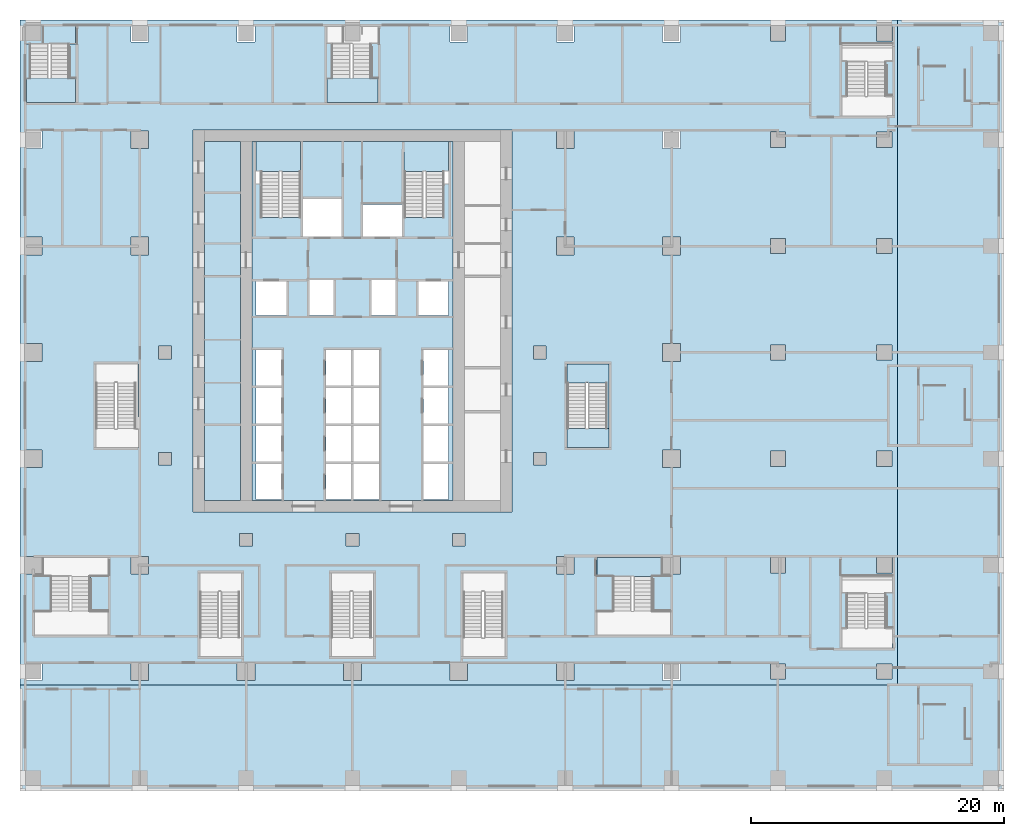
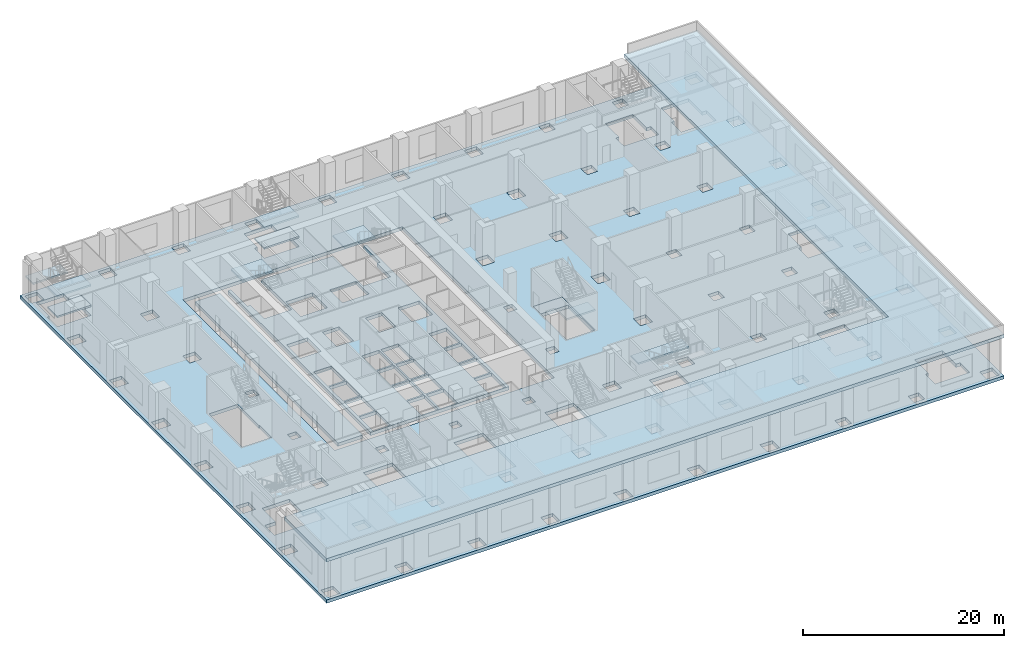
# One storey, part 2 of 23: 14 slabs, 6 elements without a shape of their own.
"""IFC4 building model written with IfcOpenShell, lengths in metres."""

from ifc_helpers import new_model, si_unit, direction, frame, origin, place, context, subcontext, project, spatial, polyline, outline, extrude, material, layer, layer_set, type_object, element, aggregate, save


model = new_model("IFC4")

# Units and contexts
model_context = context("Model", 3, precision=1e-05, world=origin(), true_north=direction((0.0, 1.0)))
body_context = subcontext(model_context, "Body", "Model", "MODEL_VIEW")
ifc_project = project(units=[si_unit("LENGTHUNIT", "METRE"), si_unit("AREAUNIT", "SQUARE_METRE"), si_unit("VOLUMEUNIT", "CUBIC_METRE"), si_unit("PLANEANGLEUNIT", "RADIAN"), si_unit("MASSUNIT", "GRAM", prefix="KILO")], contexts=[model_context])

# Site, building, storey
site_placement = place(None, origin())
site = spatial("IfcSite", under=ifc_project, at=site_placement, CompositionType="ELEMENT")
building_placement = place(site_placement, origin())
building = spatial("IfcBuilding", under=site, at=building_placement, Name="Vermilion Ogive Tower", CompositionType="ELEMENT")
storey_placement = place(building_placement, frame((0.0, 0.0, 20.0)))
storey = spatial("IfcBuildingStorey", under=building, at=storey_placement, Name="L03", CompositionType="ELEMENT", Elevation=20.0)

# Slabs
ifc_material_1 = material(Name="Concrete B40", Category="concrete")
ifc_layer_1 = layer(ifc_material_1, 0.39990234375)
ifc_layer_set_1 = layer_set([ifc_layer_1], Name="Core floor slab 400 B40")
slab_type_1 = type_object("IfcSlabType", Name="Core floor slab 400 B40", PredefinedType="FLOOR", material=ifc_layer_set_1)
slab_1_placement = place(storey_placement, frame((0.0, 0.0, -0.39990234375)))
element("IfcSlab", 1, at=slab_1_placement, inside=storey, type_object=slab_type_1, Name="L03-CK-FS1", PredefinedType="FLOOR", context=body_context, shape_type="SweptSolid", body=[
    extrude(outline(polyline([(-8.85400390625, -7.49609375), (-11.696044921875, -7.49609375), (-11.696044921875, 20.845947265625), (-8.85400390625, 20.845947265625), (-8.85400390625, -7.49609375)])), origin(), (0.0, 0.0, 1.0), 0.39990234375),
])
slab_2_placement = place(storey_placement, frame((0.0, 0.0, -0.39990234375)))
element("IfcSlab", 2, at=slab_2_placement, inside=storey, type_object=slab_type_1, Name="L03-CK-FS2", PredefinedType="FLOOR", context=body_context, shape_type="SweptSolid", body=[
    extrude(outline(polyline([(5.75, 14.85009765625), (5.60009765625, 14.85009765625), (5.60009765625, 14.85205078125), (4.10009765625, 14.85205078125), (4.10009765625, 17.550048828125), (4.074951171875, 17.550048828125), (4.074951171875, 20.845947265625), (-4.10009765625, 20.845947265625), (-4.10009765625, 14.85205078125), (-5.60009765625, 14.85205078125), (-5.60009765625, 14.85009765625), (-5.75, 14.85009765625), (-5.75, 14.85205078125), (-7.25, 14.85205078125), (-7.25, 17.550048828125), (-7.60009765625, 17.550048828125), (-7.60009765625, 20.845947265625), (-7.946044921875, 20.845947265625), (-7.946044921875, -7.49609375), (7.946044921875, -7.49609375), (7.946044921875, 20.845947265625), (7.60009765625, 20.845947265625), (7.60009765625, 17.550048828125), (7.25, 17.550048828125), (7.25, 14.85205078125), (5.75, 14.85205078125), (5.75, 14.85009765625)]), holes=[polyline([(-7.60009765625, -4.60009765625), (-5.60009765625, -4.60009765625), (-5.60009765625, -7.39990234375), (-7.60009765625, -7.39990234375), (-7.60009765625, -4.60009765625)]), polyline([(-2.10009765625, -4.60009765625), (-0.10009765625, -4.60009765625), (-0.10009765625, -7.39990234375), (-2.10009765625, -7.39990234375), (-2.10009765625, -4.60009765625)]), polyline([(-7.60009765625, -1.60009765625), (-5.60009765625, -1.60009765625), (-5.60009765625, -4.39990234375), (-7.60009765625, -4.39990234375), (-7.60009765625, -1.60009765625)]), polyline([(-2.10009765625, -1.60009765625), (-0.10009765625, -1.60009765625), (-0.10009765625, -4.39990234375), (-2.10009765625, -4.39990234375), (-2.10009765625, -1.60009765625)]), polyline([(-5.60009765625, 1.39990234375), (-5.60009765625, -1.39990234375), (-7.60009765625, -1.39990234375), (-7.60009765625, 1.39990234375), (-5.60009765625, 1.39990234375)]), polyline([(-2.10009765625, 1.39990234375), (-0.10009765625, 1.39990234375), (-0.10009765625, -1.39990234375), (-2.10009765625, -1.39990234375), (-2.10009765625, 1.39990234375)]), polyline([(0.10009765625, 4.39990234375), (2.10009765625, 4.39990234375), (2.10009765625, 1.60009765625), (0.10009765625, 1.60009765625), (0.10009765625, 4.39990234375)]), polyline([(-2.10009765625, 4.39990234375), (-0.10009765625, 4.39990234375), (-0.10009765625, 1.60009765625), (-2.10009765625, 1.60009765625), (-2.10009765625, 4.39990234375)]), polyline([(-5.60009765625, 4.39990234375), (-5.60009765625, 1.60009765625), (-7.60009765625, 1.60009765625), (-7.60009765625, 4.39990234375), (-5.60009765625, 4.39990234375)]), polyline([(-5.199951171875, 9.800048828125), (-5.199951171875, 7.10009765625), (-7.60009765625, 7.10009765625), (-7.60009765625, 9.800048828125), (-5.199951171875, 9.800048828125)]), polyline([(-3.39990234375, 9.89990234375), (-1.5, 9.89990234375), (-1.5, 7.10009765625), (-3.39990234375, 7.10009765625), (-3.39990234375, 9.89990234375)]), polyline([(-3.89990234375, 16.300048828125), (-0.85009765625, 16.300048828125), (-0.85009765625, 13.35009765625), (-3.89990234375, 13.35009765625), (-3.89990234375, 16.300048828125)]), polyline([(0.10009765625, -4.60009765625), (2.10009765625, -4.60009765625), (2.10009765625, -7.39990234375), (0.10009765625, -7.39990234375), (0.10009765625, -4.60009765625)]), polyline([(5.60009765625, -4.60009765625), (7.60009765625, -4.60009765625), (7.60009765625, -7.39990234375), (5.60009765625, -7.39990234375), (5.60009765625, -4.60009765625)]), polyline([(5.60009765625, -1.60009765625), (7.60009765625, -1.60009765625), (7.60009765625, -4.39990234375), (5.60009765625, -4.39990234375), (5.60009765625, -1.60009765625)]), polyline([(2.10009765625, -1.60009765625), (2.10009765625, -4.39990234375), (0.10009765625, -4.39990234375), (0.10009765625, -1.60009765625), (2.10009765625, -1.60009765625)]), polyline([(5.60009765625, 1.39990234375), (7.60009765625, 1.39990234375), (7.60009765625, -1.39990234375), (5.60009765625, -1.39990234375), (5.60009765625, 1.39990234375)]), polyline([(0.10009765625, 1.39990234375), (2.10009765625, 1.39990234375), (2.10009765625, -1.39990234375), (0.10009765625, -1.39990234375), (0.10009765625, 1.39990234375)]), polyline([(7.60009765625, 4.39990234375), (7.60009765625, 1.60009765625), (5.60009765625, 1.60009765625), (5.60009765625, 4.39990234375), (7.60009765625, 4.39990234375)]), polyline([(7.60009765625, 9.800048828125), (7.60009765625, 7.10009765625), (5.199951171875, 7.10009765625), (5.199951171875, 9.800048828125), (7.60009765625, 9.800048828125)]), polyline([(1.5, 9.89990234375), (3.39990234375, 9.89990234375), (3.39990234375, 7.10009765625), (1.5, 7.10009765625), (1.5, 9.89990234375)]), polyline([(0.85009765625, 15.89990234375), (3.89990234375, 15.89990234375), (3.89990234375, 13.35009765625), (0.85009765625, 13.35009765625), (0.85009765625, 15.89990234375)])]), origin(), (0.0, 0.0, 1.0), 0.39990234375),
])
slab_3_placement = place(storey_placement, frame((0.0, 0.0, -0.39990234375)))
element("IfcSlab", 3, at=slab_3_placement, inside=storey, type_object=slab_type_1, Name="L03-SF-ST8-1", PredefinedType="FLOOR", context=body_context, shape_type="SweptSolid", body=[
    extrude(outline(polyline([(16.949951171875, 3.300048828125), (16.949951171875, 1.798095703125), (18.449951171875, 1.798095703125), (18.449951171875, 1.800048828125), (18.60009765625, 1.800048828125), (18.60009765625, 1.798095703125), (20.10009765625, 1.798095703125), (20.10009765625, -3.300048828125), (20.25, -3.300048828125), (20.25, 3.300048828125), (16.949951171875, 3.300048828125)])), origin(), (0.0, 0.0, 1.0), 0.39990234375),
])
ifc_material_2 = material(Name="Concrete B45", Category="concrete")
ifc_layer_2 = layer(ifc_material_2, 0.39990234375)
ifc_layer_set_2 = layer_set([ifc_layer_2], Name="Podium floor slab 400")
slab_type_2 = type_object("IfcSlabType", Name="Podium floor slab 400", PredefinedType="FLOOR", material=ifc_layer_set_2)
slab_4_placement = place(storey_placement, frame((0.0, 0.0, -0.39990234375)))
element("IfcSlab", 4, at=slab_4_placement, inside=storey, type_object=slab_type_2, Name="L03 floor slab 1", PredefinedType="FLOOR", context=body_context, shape_type="SweptSolid", body=[
    extrude(outline(polyline([(51.449951171875, 30.449951171875), (-26.25, 30.449951171875), (-26.25, -30.449951171875), (51.449951171875, -30.449951171875), (51.449951171875, 30.449951171875)]), holes=[polyline([(0.699951171875, -30.10009765625), (-0.699951171875, -30.10009765625), (-0.699951171875, -28.699951171875), (0.699951171875, -28.699951171875), (0.699951171875, -30.10009765625)]), polyline([(-24.5, -30.10009765625), (-25.89990234375, -30.10009765625), (-25.89990234375, -28.699951171875), (-24.5, -28.699951171875), (-24.5, -30.10009765625)]), polyline([(-7.699951171875, -30.10009765625), (-9.10009765625, -30.10009765625), (-9.10009765625, -28.699951171875), (-7.699951171875, -28.699951171875), (-7.699951171875, -30.10009765625)]), polyline([(-17.5, -30.10009765625), (-17.5, -28.699951171875), (-16.10009765625, -28.699951171875), (-16.10009765625, -30.10009765625), (-17.5, -30.10009765625)]), polyline([(-9.10009765625, -21.699951171875), (-9.10009765625, -20.300048828125), (-7.699951171875, -20.300048828125), (-7.699951171875, -21.699951171875), (-9.10009765625, -21.699951171875)]), polyline([(-24.5, -21.699951171875), (-25.89990234375, -21.699951171875), (-25.89990234375, -20.300048828125), (-24.5, -20.300048828125), (-24.5, -21.699951171875)]), polyline([(-16.10009765625, -21.699951171875), (-17.5, -21.699951171875), (-17.5, -20.300048828125), (-16.10009765625, -20.300048828125), (-16.10009765625, -21.699951171875)]), polyline([(-8.75, -19.800048828125), (-12.050048828125, -19.800048828125), (-12.050048828125, -13.199951171875), (-8.75, -13.199951171875), (-8.75, -19.800048828125)]), polyline([(-20.699951171875, -13.5), (-20.699951171875, -16.199951171875), (-19.300048828125, -16.199951171875), (-19.300048828125, -18.125), (-25.10009765625, -18.125), (-25.10009765625, -16.199951171875), (-23.85009765625, -16.199951171875), (-23.85009765625, -13.5), (-23.85009765625, -13.5), (-23.85009765625, -13.501953125), (-22.35009765625, -13.501953125), (-22.35009765625, -13.5), (-22.199951171875, -13.5), (-22.199951171875, -13.501953125), (-20.699951171875, -13.501953125), (-20.699951171875, -13.5), (-20.699951171875, -13.5)]), polyline([(-25.89990234375, -13.300048828125), (-25.89990234375, -11.89990234375), (-24.5, -11.89990234375), (-24.5, -13.300048828125), (-25.89990234375, -13.300048828125)]), polyline([(-16.10009765625, -13.300048828125), (-17.5, -13.300048828125), (-17.5, -11.89990234375), (-16.10009765625, -11.89990234375), (-16.10009765625, -13.300048828125)]), polyline([(0.5, -11.10009765625), (-0.5, -11.10009765625), (-0.5, -10.10009765625), (0.5, -10.10009765625), (0.5, -11.10009765625)]), polyline([(-7.89990234375, -11.10009765625), (-8.89990234375, -11.10009765625), (-8.89990234375, -10.10009765625), (-7.89990234375, -10.10009765625), (-7.89990234375, -11.10009765625)]), polyline([(-25.89990234375, -4.89990234375), (-25.89990234375, -3.5), (-24.5, -3.5), (-24.5, -4.89990234375), (-25.89990234375, -4.89990234375)]), polyline([(-15.300048828125, -4.699951171875), (-15.300048828125, -3.699951171875), (-14.300048828125, -3.699951171875), (-14.300048828125, -4.699951171875), (-15.300048828125, -4.699951171875)]), polyline([(-20.25, -3.300048828125), (-20.25, 3.300048828125), (-16.949951171875, 3.300048828125), (-16.949951171875, -0.89990234375), (-16.875, -0.89990234375), (-16.875, -3.300048828125), (-16.949951171875, -3.300048828125), (-16.949951171875, -3.300048828125), (-20.25, -3.300048828125)]), polyline([(-15.300048828125, 3.699951171875), (-15.300048828125, 4.699951171875), (-14.300048828125, 4.699951171875), (-14.300048828125, 3.699951171875), (-15.300048828125, 3.699951171875)]), polyline([(-25.89990234375, 3.5), (-25.89990234375, 4.89990234375), (-24.5, 4.89990234375), (-24.5, 3.5), (-25.89990234375, 3.5)]), polyline([(-17.5, 11.89990234375), (-17.5, 13.300048828125), (-16.10009765625, 13.300048828125), (-16.10009765625, 11.89990234375), (-17.5, 11.89990234375)]), polyline([(-25.89990234375, 11.89990234375), (-25.89990234375, 13.300048828125), (-24.5, 13.300048828125), (-24.5, 11.89990234375), (-25.89990234375, 11.89990234375)]), polyline([(-16.10009765625, 20.300048828125), (-17.5, 20.300048828125), (-17.5, 21.699951171875), (-16.10009765625, 21.699951171875), (-16.10009765625, 20.300048828125)]), polyline([(-24.5, 20.300048828125), (-25.89990234375, 20.300048828125), (-25.89990234375, 21.699951171875), (-24.5, 21.699951171875), (-24.5, 20.300048828125)]), polyline([(-25.75, 25.85009765625), (-25.5, 25.85009765625), (-25.5, 28.548095703125), (-24.0, 28.548095703125), (-24.0, 28.550048828125), (-23.85009765625, 28.550048828125), (-23.85009765625, 28.548095703125), (-22.35009765625, 28.548095703125), (-22.35009765625, 25.85009765625), (-21.85009765625, 25.85009765625), (-21.85009765625, 23.925048828125), (-25.75, 23.925048828125), (-25.75, 25.85009765625)]), polyline([(1.5, 25.85009765625), (2.0, 25.85009765625), (2.0, 23.925048828125), (-2.0, 23.925048828125), (-2.0, 25.85009765625), (-1.64990234375, 25.85009765625), (-1.64990234375, 28.548095703125), (-0.14990234375, 28.548095703125), (-0.14990234375, 28.550048828125), (0.0, 28.550048828125), (0.0, 28.548095703125), (1.5, 28.548095703125), (1.5, 25.85009765625)]), polyline([(-0.699951171875, 28.699951171875), (-0.699951171875, 30.10009765625), (0.699951171875, 30.10009765625), (0.699951171875, 28.699951171875), (-0.699951171875, 28.699951171875)]), polyline([(-16.10009765625, 28.699951171875), (-17.5, 28.699951171875), (-17.5, 30.10009765625), (-16.10009765625, 30.10009765625), (-16.10009765625, 28.699951171875)]), polyline([(-7.699951171875, 28.699951171875), (-9.10009765625, 28.699951171875), (-9.10009765625, 30.10009765625), (-7.699951171875, 30.10009765625), (-7.699951171875, 28.699951171875)]), polyline([(-24.5, 28.699951171875), (-25.89990234375, 28.699951171875), (-25.89990234375, 30.10009765625), (-24.5, 30.10009765625), (-24.5, 28.699951171875)]), polyline([(7.699951171875, -30.10009765625), (7.699951171875, -28.699951171875), (9.10009765625, -28.699951171875), (9.10009765625, -30.10009765625), (7.699951171875, -30.10009765625)]), polyline([(24.5, -30.10009765625), (24.5, -28.699951171875), (25.89990234375, -28.699951171875), (25.89990234375, -30.10009765625), (24.5, -30.10009765625)]), polyline([(17.5, -30.10009765625), (16.10009765625, -30.10009765625), (16.10009765625, -28.699951171875), (17.5, -28.699951171875), (17.5, -30.10009765625)]), polyline([(0.699951171875, -21.699951171875), (-0.699951171875, -21.699951171875), (-0.699951171875, -20.300048828125), (0.699951171875, -20.300048828125), (0.699951171875, -21.699951171875)]), polyline([(25.89990234375, -21.699951171875), (24.5, -21.699951171875), (24.5, -20.300048828125), (25.89990234375, -20.300048828125), (25.89990234375, -21.699951171875)]), polyline([(7.699951171875, -21.699951171875), (7.699951171875, -20.300048828125), (9.10009765625, -20.300048828125), (9.10009765625, -21.699951171875), (7.699951171875, -21.699951171875)]), polyline([(16.10009765625, -21.699951171875), (16.10009765625, -20.300048828125), (17.5, -20.300048828125), (17.5, -21.699951171875), (16.10009765625, -21.699951171875)]), polyline([(1.64990234375, -19.800048828125), (-1.64990234375, -19.800048828125), (-1.64990234375, -13.199951171875), (1.64990234375, -13.199951171875), (1.64990234375, -19.800048828125)]), polyline([(8.75, -19.800048828125), (8.75, -13.199951171875), (12.050048828125, -13.199951171875), (12.050048828125, -19.800048828125), (8.75, -19.800048828125)]), polyline([(22.050048828125, -13.5), (22.199951171875, -13.5), (22.199951171875, -13.501953125), (23.699951171875, -13.501953125), (23.699951171875, -16.199951171875), (25.099853515625, -16.199951171875), (25.099853515625, -18.125), (19.300048828125, -18.125), (19.300048828125, -16.199951171875), (20.550048828125, -16.199951171875), (20.550048828125, -13.501953125), (22.050048828125, -13.501953125), (22.050048828125, -13.5)]), polyline([(17.5, -13.300048828125), (16.10009765625, -13.300048828125), (16.10009765625, -11.89990234375), (17.5, -11.89990234375), (17.5, -13.300048828125)]), polyline([(24.5, -13.300048828125), (24.5, -11.89990234375), (25.89990234375, -11.89990234375), (25.89990234375, -13.300048828125), (24.5, -13.300048828125)]), polyline([(7.89990234375, -11.10009765625), (7.89990234375, -10.10009765625), (8.89990234375, -10.10009765625), (8.89990234375, -11.10009765625), (7.89990234375, -11.10009765625)]), polyline([(15.300048828125, -4.699951171875), (14.300048828125, -4.699951171875), (14.300048828125, -3.699951171875), (15.300048828125, -3.699951171875), (15.300048828125, -4.699951171875)]), polyline([(25.89990234375, -4.89990234375), (24.5, -4.89990234375), (24.5, -3.5), (25.89990234375, -3.5), (25.89990234375, -4.89990234375)]), polyline([(20.25, -3.300048828125), (16.949951171875, -3.300048828125), (16.949951171875, 3.300048828125), (20.25, 3.300048828125), (20.25, -3.300048828125)]), polyline([(14.300048828125, 3.699951171875), (14.300048828125, 4.699951171875), (15.300048828125, 4.699951171875), (15.300048828125, 3.699951171875), (14.300048828125, 3.699951171875)]), polyline([(24.5, 3.5), (24.5, 4.89990234375), (25.89990234375, 4.89990234375), (25.89990234375, 3.5), (24.5, 3.5)]), polyline([(12.60009765625, -8.39990234375), (-12.60009765625, -8.39990234375), (-12.60009765625, 21.75), (12.60009765625, 21.75), (12.60009765625, -8.39990234375)]), polyline([(17.5, 11.89990234375), (16.10009765625, 11.89990234375), (16.10009765625, 13.300048828125), (17.5, 13.300048828125), (17.5, 11.89990234375)]), polyline([(24.5, 11.89990234375), (24.5, 13.300048828125), (25.89990234375, 13.300048828125), (25.89990234375, 11.89990234375), (24.5, 11.89990234375)]), polyline([(33.0, 20.39990234375), (33.0, 21.60009765625), (34.199951171875, 21.60009765625), (34.199951171875, 20.39990234375), (33.0, 20.39990234375)]), polyline([(17.5, 20.300048828125), (16.10009765625, 20.300048828125), (16.10009765625, 21.699951171875), (17.5, 21.699951171875), (17.5, 20.300048828125)]), polyline([(25.89990234375, 20.300048828125), (24.5, 20.300048828125), (24.5, 21.699951171875), (25.89990234375, 21.699951171875), (25.89990234375, 20.300048828125)]), polyline([(9.10009765625, 28.699951171875), (7.699951171875, 28.699951171875), (7.699951171875, 30.10009765625), (9.10009765625, 30.10009765625), (9.10009765625, 28.699951171875)]), polyline([(24.5, 28.699951171875), (24.5, 30.10009765625), (25.89990234375, 30.10009765625), (25.89990234375, 28.699951171875), (24.5, 28.699951171875)]), polyline([(33.0, 28.800048828125), (33.0, 30.0), (34.199951171875, 30.0), (34.199951171875, 28.800048828125), (33.0, 28.800048828125)]), polyline([(17.5, 28.699951171875), (16.10009765625, 28.699951171875), (16.10009765625, 30.10009765625), (17.5, 30.10009765625), (17.5, 28.699951171875)]), polyline([(41.39990234375, -30.0), (41.39990234375, -28.800048828125), (42.60009765625, -28.800048828125), (42.60009765625, -30.0), (41.39990234375, -30.0)]), polyline([(33.0, -30.0), (33.0, -28.800048828125), (34.199951171875, -28.800048828125), (34.199951171875, -30.0), (33.0, -30.0)]), polyline([(51.10009765625, -30.10009765625), (49.699951171875, -30.10009765625), (49.699951171875, -28.699951171875), (51.10009765625, -28.699951171875), (51.10009765625, -30.10009765625)]), polyline([(45.14990234375, -23.64990234375), (46.800048828125, -23.64990234375), (46.800048828125, -23.652099609375), (48.300048828125, -23.652099609375), (48.300048828125, -23.64990234375), (48.300048828125, -23.64990234375), (48.300048828125, -26.35009765625), (48.7998046875, -26.35009765625), (48.7998046875, -28.25), (44.800048828125, -28.25), (44.800048828125, -26.35009765625), (45.14990234375, -26.35009765625), (45.14990234375, -23.64990234375)]), polyline([(41.39990234375, -21.60009765625), (41.39990234375, -20.39990234375), (42.60009765625, -20.39990234375), (42.60009765625, -21.60009765625), (41.39990234375, -21.60009765625)]), polyline([(34.199951171875, -21.60009765625), (33.0, -21.60009765625), (33.0, -20.39990234375), (34.199951171875, -20.39990234375), (34.199951171875, -21.60009765625)]), polyline([(51.10009765625, -21.699951171875), (49.699951171875, -21.699951171875), (49.699951171875, -20.300048828125), (51.10009765625, -20.300048828125), (51.10009765625, -21.699951171875)]), polyline([(42.64990234375, -19.125), (38.650146484375, -19.125), (38.650146484375, -17.550048828125), (39.0, -17.550048828125), (39.0, -14.85205078125), (40.5, -14.85205078125), (40.5, -14.85009765625), (40.64990234375, -14.85009765625), (40.64990234375, -14.85205078125), (42.14990234375, -14.85205078125), (42.14990234375, -17.550048828125), (42.64990234375, -17.550048828125), (42.64990234375, -19.125)]), polyline([(49.699951171875, -13.300048828125), (49.699951171875, -11.89990234375), (51.10009765625, -11.89990234375), (51.10009765625, -13.300048828125), (49.699951171875, -13.300048828125)]), polyline([(41.39990234375, -13.199951171875), (41.39990234375, -12.0), (42.60009765625, -12.0), (42.60009765625, -13.199951171875), (41.39990234375, -13.199951171875)]), polyline([(34.199951171875, -13.199951171875), (33.0, -13.199951171875), (33.0, -12.0), (34.199951171875, -12.0), (34.199951171875, -13.199951171875)]), polyline([(41.39990234375, -4.800048828125), (41.39990234375, -3.60009765625), (42.60009765625, -3.60009765625), (42.60009765625, -4.800048828125), (41.39990234375, -4.800048828125)]), polyline([(49.699951171875, -4.89990234375), (49.699951171875, -3.5), (51.10009765625, -3.5), (51.10009765625, -4.89990234375), (49.699951171875, -4.89990234375)]), polyline([(34.199951171875, -4.800048828125), (33.0, -4.800048828125), (33.0, -3.60009765625), (34.199951171875, -3.60009765625), (34.199951171875, -4.800048828125)]), polyline([(45.14990234375, -1.14990234375), (45.14990234375, 1.550048828125), (46.800048828125, 1.550048828125), (46.800048828125, 1.548095703125), (48.300048828125, 1.548095703125), (48.300048828125, 1.550048828125), (48.300048828125, 1.550048828125), (48.300048828125, -1.14990234375), (48.7998046875, -1.14990234375), (48.7998046875, -3.0498046875), (48.300048828125, -3.0498046875), (48.300048828125, -3.050048828125), (45.14990234375, -3.050048828125), (45.14990234375, -3.0498046875), (44.800048828125, -3.0498046875), (44.800048828125, -1.14990234375), (45.14990234375, -1.14990234375)]), polyline([(33.0, 3.60009765625), (33.0, 4.800048828125), (34.199951171875, 4.800048828125), (34.199951171875, 3.60009765625), (33.0, 3.60009765625)]), polyline([(51.10009765625, 3.5), (49.699951171875, 3.5), (49.699951171875, 4.89990234375), (51.10009765625, 4.89990234375), (51.10009765625, 3.5)]), polyline([(42.60009765625, 3.60009765625), (41.39990234375, 3.60009765625), (41.39990234375, 4.800048828125), (42.60009765625, 4.800048828125), (42.60009765625, 3.60009765625)]), polyline([(42.60009765625, 12.0), (41.39990234375, 12.0), (41.39990234375, 13.199951171875), (42.60009765625, 13.199951171875), (42.60009765625, 12.0)]), polyline([(33.0, 12.0), (33.0, 13.199951171875), (34.199951171875, 13.199951171875), (34.199951171875, 12.0), (33.0, 12.0)]), polyline([(49.699951171875, 11.89990234375), (49.699951171875, 13.300048828125), (51.10009765625, 13.300048828125), (51.10009765625, 11.89990234375), (49.699951171875, 11.89990234375)]), polyline([(42.60009765625, 20.39990234375), (41.39990234375, 20.39990234375), (41.39990234375, 21.60009765625), (42.60009765625, 21.60009765625), (42.60009765625, 20.39990234375)]), polyline([(49.699951171875, 20.300048828125), (49.699951171875, 21.699951171875), (51.10009765625, 21.699951171875), (51.10009765625, 20.300048828125), (49.699951171875, 20.300048828125)]), polyline([(44.800048828125, 24.050048828125), (45.14990234375, 24.050048828125), (45.14990234375, 26.75), (46.800048828125, 26.75), (46.800048828125, 26.748046875), (48.300048828125, 26.748046875), (48.300048828125, 26.75), (48.300048828125, 26.75), (48.300048828125, 24.050048828125), (48.8125, 24.050048828125), (48.8125, 22.125), (44.800048828125, 22.125), (44.800048828125, 24.050048828125)]), polyline([(39.0, 27.14794921875), (40.5, 27.14794921875), (40.5, 27.14990234375), (40.64990234375, 27.14990234375), (40.64990234375, 27.14794921875), (42.14990234375, 27.14794921875), (42.14990234375, 24.449951171875), (42.64990234375, 24.449951171875), (42.64990234375, 22.875), (38.650146484375, 22.875), (38.650146484375, 24.449951171875), (39.0, 24.449951171875), (39.0, 27.14794921875)]), polyline([(41.39990234375, 28.800048828125), (41.39990234375, 30.0), (42.60009765625, 30.0), (42.60009765625, 28.800048828125), (41.39990234375, 28.800048828125)]), polyline([(49.699951171875, 28.699951171875), (49.699951171875, 30.10009765625), (51.10009765625, 30.10009765625), (51.10009765625, 28.699951171875), (49.699951171875, 28.699951171875)])]), origin(), (0.0, 0.0, 1.0), 0.39990234375),
])
ifc_material_3 = material(Name="Concrete B45", Category="concrete")
ifc_layer_3 = layer(ifc_material_3, 0.39990234375)
ifc_layer_set_3 = layer_set([ifc_layer_3], Name="Podium roof slab 400")
slab_type_3 = type_object("IfcSlabType", Name="Podium roof slab 400", PredefinedType="ROOF", material=ifc_layer_set_3)
slab_5_placement = place(storey_placement, frame((0.0, 0.0, 4.60009765625)))
element("IfcSlab", 5, at=slab_5_placement, inside=storey, type_object=slab_type_3, Name="L03 terrace roof 1", PredefinedType="ROOF", context=body_context, shape_type="SweptSolid", body=[
    extrude(outline(polyline([(-26.25, -22.051025390625), (-26.25, -30.449951171875), (51.449951171875, -30.449951171875), (51.449951171875, 30.449951171875), (43.051025390625, 30.449951171875), (43.051025390625, -22.050048828125), (43.051025390625, -22.05029296875), (43.05078125, -22.050537109375), (43.05078125, -22.05078125), (43.050537109375, -22.05078125), (43.05029296875, -22.051025390625), (43.050048828125, -22.051025390625), (-26.25, -22.051025390625)])), origin(), (0.0, 0.0, 1.0), 0.39990234375),
])

# Stair, slab
ifc_material_4 = material(Name="Concrete B40", Category="concrete")
stair_type = type_object("IfcStairType", Name="Exit stair 1500", PredefinedType="HALF_TURN_STAIR", material=ifc_material_4)
stair_1_placement = place(storey_placement, origin())
stair_1 = element("IfcStair", 6, at=stair_1_placement, inside=storey, type_object=stair_type, Name="L03 Exit Stair ST1", PredefinedType="HALF_TURN_STAIR")
ifc_material_5 = material(Name="Concrete B40", Category="concrete")
ifc_layer_4 = layer(ifc_material_5, 0.199951171875)
ifc_layer_set_4 = layer_set([ifc_layer_4], Name="Stair landing 200")
slab_type_4 = type_object("IfcSlabType", Name="Stair landing 200", PredefinedType="LANDING", material=ifc_layer_set_4)
slab_6_placement = place(storey_placement, frame((0.0, 0.0, 2.300048828125)))
slab_6 = element("IfcSlab", 7, at=slab_6_placement, type_object=slab_type_4, Name="ST1 landing 1", PredefinedType="LANDING", context=body_context, shape_type="SweptSolid", body=[
    extrude(outline(polyline([(-7.60009765625, 18.489990234375), (-7.25, 18.489990234375), (-7.25, 18.488037109375), (-5.75, 18.488037109375), (-5.75, 18.489990234375), (-5.60009765625, 18.489990234375), (-5.60009765625, 18.488037109375), (-4.10009765625, 18.488037109375), (-4.10009765625, 20.85009765625), (-7.60009765625, 20.85009765625), (-7.60009765625, 18.489990234375)])), origin(), (0.0, 0.0, 1.0), 0.199951171875),
])
aggregate(stair_1, [slab_6])

stair_2_placement = place(storey_placement, origin())
stair_2 = element("IfcStair", 8, at=stair_2_placement, inside=storey, type_object=stair_type, Name="L03 Exit Stair ST2", PredefinedType="HALF_TURN_STAIR")
slab_7_placement = place(storey_placement, frame((0.0, 0.0, 2.300048828125)))
slab_7 = element("IfcSlab", 9, at=slab_7_placement, type_object=slab_type_4, Name="ST2 landing 1", PredefinedType="LANDING", context=body_context, shape_type="SweptSolid", body=[
    extrude(outline(polyline([(5.60009765625, 18.489990234375), (5.75, 18.489990234375), (5.75, 18.488037109375), (7.25, 18.488037109375), (7.25, 18.489990234375), (7.60009765625, 18.489990234375), (7.60009765625, 20.85009765625), (4.074951171875, 20.85009765625), (4.074951171875, 18.489990234375), (4.10009765625, 18.489990234375), (4.10009765625, 18.488037109375), (5.60009765625, 18.488037109375), (5.60009765625, 18.489990234375)])), origin(), (0.0, 0.0, 1.0), 0.199951171875),
])
aggregate(stair_2, [slab_7])

stair_3_placement = place(storey_placement, origin())
stair_3 = element("IfcStair", 10, at=stair_3_placement, inside=storey, type_object=stair_type, Name="L03 Exit Stair ST8", PredefinedType="HALF_TURN_STAIR")
slab_8_placement = place(storey_placement, frame((0.0, 0.0, 2.300048828125)))
slab_8 = element("IfcSlab", 11, at=slab_8_placement, type_object=slab_type_4, Name="ST8 landing 1", PredefinedType="LANDING", context=body_context, shape_type="SweptSolid", body=[
    extrude(outline(polyline([(20.25, -1.800048828125), (20.10009765625, -1.800048828125), (20.10009765625, -1.798095703125), (18.60009765625, -1.798095703125), (18.60009765625, -1.800048828125), (18.449951171875, -1.800048828125), (18.449951171875, -1.798095703125), (16.949951171875, -1.798095703125), (16.949951171875, -3.300048828125), (20.25, -3.300048828125), (20.25, -1.800048828125)])), origin(), (0.0, 0.0, 1.0), 0.199951171875),
])
aggregate(stair_3, [slab_8])

# Stair, slabs
stair_4_placement = place(storey_placement, origin())
stair_4 = element("IfcStair", 12, at=stair_4_placement, inside=storey, type_object=stair_type, Name="L03 Exit Stair PS1", PredefinedType="HALF_TURN_STAIR")
slab_9_placement = place(storey_placement, frame((0.0, 0.0, 1.050048828125)))
slab_9 = element("IfcSlab", 13, at=slab_9_placement, type_object=slab_type_4, Name="PS1 landing 1", PredefinedType="LANDING", context=body_context, shape_type="SweptSolid", body=[
    extrude(outline(polyline([(-21.85009765625, 25.85009765625), (-22.35009765625, 25.85009765625), (-22.35009765625, 25.85205078125), (-23.85009765625, 25.85205078125), (-23.85009765625, 25.85009765625), (-24.0, 25.85009765625), (-24.0, 25.85205078125), (-25.5, 25.85205078125), (-25.5, 25.85009765625), (-25.75, 25.85009765625), (-25.75, 23.925048828125), (-21.85009765625, 23.925048828125), (-21.85009765625, 25.85009765625)])), origin(), (0.0, 0.0, 1.0), 0.199951171875),
])
slab_10_placement = place(storey_placement, frame((0.0, 0.0, 2.300048828125)))
slab_10 = element("IfcSlab", 14, at=slab_10_placement, type_object=slab_type_4, Name="PS1 landing 2", PredefinedType="LANDING", context=body_context, shape_type="SweptSolid", body=[
    extrude(outline(polyline([(-25.85009765625, 28.550048828125), (-25.5, 28.550048828125), (-25.5, 28.548095703125), (-24.0, 28.548095703125), (-24.0, 28.550048828125), (-23.85009765625, 28.550048828125), (-23.85009765625, 28.548095703125), (-22.35009765625, 28.548095703125), (-22.35009765625, 28.550048828125), (-21.85009765625, 28.550048828125), (-21.85009765625, 30.050048828125), (-25.85009765625, 30.050048828125), (-25.85009765625, 28.550048828125)])), origin(), (0.0, 0.0, 1.0), 0.199951171875),
])
slab_11_placement = place(storey_placement, frame((0.0, 0.0, 3.550048828125)))
slab_11 = element("IfcSlab", 15, at=slab_11_placement, type_object=slab_type_4, Name="PS1 landing 3", PredefinedType="LANDING", context=body_context, shape_type="SweptSolid", body=[
    extrude(outline(polyline([(-21.85009765625, 25.85009765625), (-22.35009765625, 25.85009765625), (-22.35009765625, 25.85205078125), (-23.85009765625, 25.85205078125), (-23.85009765625, 25.85009765625), (-24.0, 25.85009765625), (-24.0, 25.85205078125), (-25.5, 25.85205078125), (-25.5, 25.85009765625), (-25.75, 25.85009765625), (-25.75, 23.925048828125), (-21.85009765625, 23.925048828125), (-21.85009765625, 25.85009765625)])), origin(), (0.0, 0.0, 1.0), 0.199951171875),
])
aggregate(stair_4, [slab_9, slab_10, slab_11])

# Stair, slab
stair_5_placement = place(storey_placement, origin())
stair_5 = element("IfcStair", 16, at=stair_5_placement, inside=storey, type_object=stair_type, Name="L03 Exit Stair PS3", PredefinedType="HALF_TURN_STAIR")
slab_12_placement = place(storey_placement, frame((0.0, 0.0, 2.300048828125)))
slab_12 = element("IfcSlab", 17, at=slab_12_placement, type_object=slab_type_4, Name="PS3 landing 2", PredefinedType="LANDING", context=body_context, shape_type="SweptSolid", body=[
    extrude(outline(polyline([(19.300048828125, -13.5), (20.550048828125, -13.5), (20.550048828125, -13.501953125), (22.050048828125, -13.501953125), (22.050048828125, -13.5), (22.199951171875, -13.5), (22.199951171875, -13.501953125), (23.699951171875, -13.501953125), (23.699951171875, -13.5), (25.099853515625, -13.5), (25.099853515625, -11.974853515625), (19.300048828125, -11.974853515625), (19.300048828125, -13.5)])), origin(), (0.0, 0.0, 1.0), 0.199951171875),
])
aggregate(stair_5, [slab_12])

# Stair, slabs
stair_6_placement = place(storey_placement, origin())
stair_6 = element("IfcStair", 18, at=stair_6_placement, inside=storey, type_object=stair_type, Name="L03 Exit Stair PS5", PredefinedType="HALF_TURN_STAIR")
slab_13_placement = place(storey_placement, frame((0.0, 0.0, 1.050048828125)))
slab_13 = element("IfcSlab", 19, at=slab_13_placement, type_object=slab_type_4, Name="PS5 landing 1", PredefinedType="LANDING", context=body_context, shape_type="SweptSolid", body=[
    extrude(outline(polyline([(2.0, 25.85009765625), (1.5, 25.85009765625), (1.5, 25.85205078125), (0.0, 25.85205078125), (0.0, 25.85009765625), (-0.14990234375, 25.85009765625), (-0.14990234375, 25.85205078125), (-1.64990234375, 25.85205078125), (-1.64990234375, 25.85009765625), (-2.0, 25.85009765625), (-2.0, 23.925048828125), (2.0, 23.925048828125), (2.0, 25.85009765625)])), origin(), (0.0, 0.0, 1.0), 0.199951171875),
])
slab_14_placement = place(storey_placement, frame((0.0, 0.0, 3.550048828125)))
slab_14 = element("IfcSlab", 20, at=slab_14_placement, type_object=slab_type_4, Name="PS5 landing 3", PredefinedType="LANDING", context=body_context, shape_type="SweptSolid", body=[
    extrude(outline(polyline([(2.0, 25.85009765625), (1.5, 25.85009765625), (1.5, 25.85205078125), (0.0, 25.85205078125), (0.0, 25.85009765625), (-0.14990234375, 25.85009765625), (-0.14990234375, 25.85205078125), (-1.64990234375, 25.85205078125), (-1.64990234375, 25.85009765625), (-2.0, 25.85009765625), (-2.0, 23.925048828125), (2.0, 23.925048828125), (2.0, 25.85009765625)])), origin(), (0.0, 0.0, 1.0), 0.199951171875),
])
aggregate(stair_6, [slab_13, slab_14])

save(model, "model.ifc")
